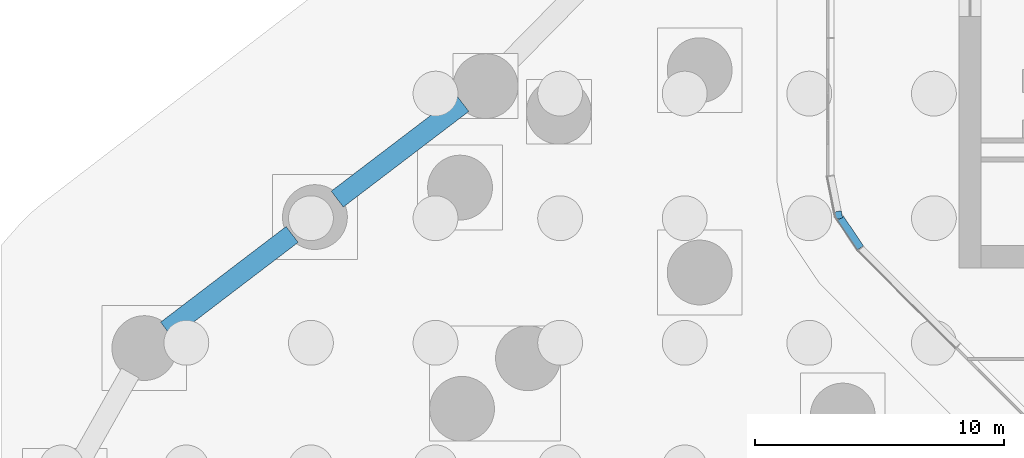
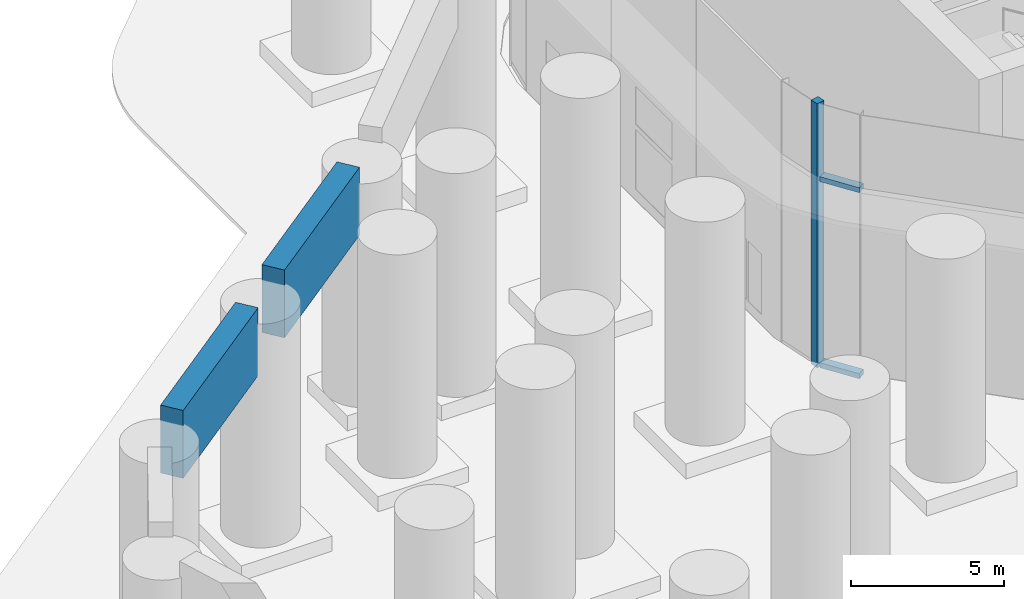
# One storey, part 6 of 31: 3 members, 2 beams, 2 elements without a shape of their own.
"""IFC4 building model written with IfcOpenShell, lengths in metres."""

from ifc_helpers import new_model, si_unit, direction, frame, origin, origin_2d, place, context, subcontext, project, spatial, rectangle, extrude, material, material_profile, profile_set, type_object, element, aggregate, save


model = new_model("IFC4")

# Units and contexts
model_context = context("Model", 3, precision=1e-05, world=origin(), true_north=direction((0.0, 1.0)))
body_context = subcontext(model_context, "Body", "Model", "MODEL_VIEW")
ifc_project = project(units=[si_unit("LENGTHUNIT", "METRE"), si_unit("AREAUNIT", "SQUARE_METRE"), si_unit("VOLUMEUNIT", "CUBIC_METRE"), si_unit("PLANEANGLEUNIT", "RADIAN"), si_unit("MASSUNIT", "GRAM", prefix="KILO")], contexts=[model_context])

# Site, building, storey
site_placement = place(None, origin())
site = spatial("IfcSite", under=ifc_project, at=site_placement, CompositionType="ELEMENT")
building_placement = place(site_placement, origin())
building = spatial("IfcBuilding", under=site, at=building_placement, Name="Orlundy Tower", CompositionType="ELEMENT")
storey_placement = place(building_placement, origin())
storey = spatial("IfcBuildingStorey", under=building, at=storey_placement, Name="L00", CompositionType="ELEMENT", Elevation=0.0)

# Curtain wall, member
ifc_material_1 = material(Name="Aluminium bronze anodised", Category="aluminium")
curtain_wall_type = type_object("IfcCurtainWallType", Name="CW3 wall", PredefinedType="NOTDEFINED", material=ifc_material_1)
curtain_wall_1_placement = place(storey_placement, origin())
curtain_wall_1 = element("IfcCurtainWall", 1, at=curtain_wall_1_placement, inside=storey, type_object=curtain_wall_type, Name="CW3 run 04", PredefinedType="NOTDEFINED")
ifc_material_2 = material(Name="Aluminium bronze anodised", Category="aluminium")
ifc_material_profile_1 = material_profile(ifc_material_2, rectangle(XDim=0.300048828125, YDim=0.300048828125, at=origin_2d()), Name="CW3 corner post 300x300")
ifc_profile_set_1 = profile_set([ifc_material_profile_1], Name="Aluminium bronze anodised")
member_type_1 = type_object("IfcMemberType", Name="CW3 corner post 300x300", PredefinedType="MULLION", material=ifc_profile_set_1)
member_1_placement = place(storey_placement, frame((-23.83740234375, -9.87353515625, -0.39990234375), z_axis=(0.0, 0.0, 1.0), x_axis=(-0.980850787713, -0.19476070508, 0.0)))
member_1 = element("IfcMember", 2, at=member_1_placement, type_object=member_type_1, Name="CW3 mullion 7", PredefinedType="MULLION", context=body_context, shape_type="SweptSolid", body=[
    extrude(rectangle(XDim=0.300048828125, YDim=0.300048828125, at=origin_2d()), origin(), (0.0, 0.0, 1.0), 10.5),
])
aggregate(curtain_wall_1, [member_1])

# Curtain wall, members
curtain_wall_2_placement = place(storey_placement, origin())
curtain_wall_2 = element("IfcCurtainWall", 3, at=curtain_wall_2_placement, inside=storey, type_object=curtain_wall_type, Name="CW3 run 03", PredefinedType="NOTDEFINED")
ifc_material_3 = material(Name="Aluminium bronze anodised", Category="aluminium")
ifc_material_profile_2 = material_profile(ifc_material_3, rectangle(XDim=0.300048828125, YDim=0.199951171875, at=origin_2d()), Name="CW3 transom 300x200")
ifc_profile_set_2 = profile_set([ifc_material_profile_2], Name="Aluminium bronze anodised")
member_type_2 = type_object("IfcMemberType", Name="CW3 transom 300x200", PredefinedType="USERDEFINED", material=ifc_profile_set_2)
member_2_placement = place(storey_placement, frame((-22.95263671875, -11.1953125, -0.300048828125), z_axis=(-0.556277215414, 0.830996786763, 0.0), x_axis=(-0.830996786763, -0.556277215414, 0.0)))
member_2 = element("IfcMember", 4, at=member_2_placement, type_object=member_type_2, Name="CW3 transom", ObjectType="TRANSOM", PredefinedType="USERDEFINED", context=body_context, shape_type="SweptSolid", body=[
    extrude(rectangle(XDim=0.300048828125, YDim=0.199951171875, at=origin_2d()), origin(), (0.0, 0.0, 1.0), 1.42822265625),
])
member_3_placement = place(storey_placement, frame((-22.95263671875, -11.1953125, 7.10009765625), z_axis=(-0.556277215414, 0.830996786763, 0.0), x_axis=(-0.830996786763, -0.556277215414, 0.0)))
member_3 = element("IfcMember", 5, at=member_3_placement, type_object=member_type_2, Name="CW3 transom", ObjectType="TRANSOM", PredefinedType="USERDEFINED", context=body_context, shape_type="SweptSolid", body=[
    extrude(rectangle(XDim=0.300048828125, YDim=0.199951171875, at=origin_2d()), origin(), (0.0, 0.0, 1.0), 1.42822265625),
])
aggregate(curtain_wall_2, [member_2, member_3])

# Beams
ifc_material_4 = material(Name="Concrete C80/95", Category="concrete")
ifc_material_profile_3 = material_profile(ifc_material_4, rectangle(XDim=0.800048828125, YDim=2.699951171875, at=origin_2d()), Name="RC800X2700")
ifc_profile_set_3 = profile_set([ifc_material_profile_3], Name="Concrete C80/95")
beam_type = type_object("IfcBeamType", Name="RC FASCIA BEAM RC800X2700 C80/95", PredefinedType="BEAM", material=ifc_profile_set_3)
beam_1_placement = place(storey_placement, frame((-50.79150390625, -14.490478515625, 8.75), z_axis=(0.795298964992, 0.606217416677, 0.0), x_axis=(-0.606217416677, 0.795298964992, 0.0)))
element("IfcBeam", 6, at=beam_1_placement, inside=storey, type_object=beam_type, Name="Fascia beam 14", PredefinedType="BEAM", context=body_context, shape_type="SweptSolid", body=[
    extrude(rectangle(XDim=0.800048828125, YDim=2.699951171875, at=origin_2d()), origin(), (0.0, 0.0, 1.0), 6.333251953125),
])
beam_2_placement = place(storey_placement, frame((-43.944091796875, -9.23291015625, 8.75), z_axis=(0.795495426109, 0.605959591919, 0.0), x_axis=(-0.605959591919, 0.795495426109, 0.0)))
element("IfcBeam", 7, at=beam_2_placement, inside=storey, type_object=beam_type, Name="Fascia beam 15", PredefinedType="BEAM", context=body_context, shape_type="SweptSolid", body=[
    extrude(rectangle(XDim=0.800048828125, YDim=2.699951171875, at=origin_2d()), origin(), (0.0, 0.0, 1.0), 6.33349609375),
])

save(model, "model.ifc")
